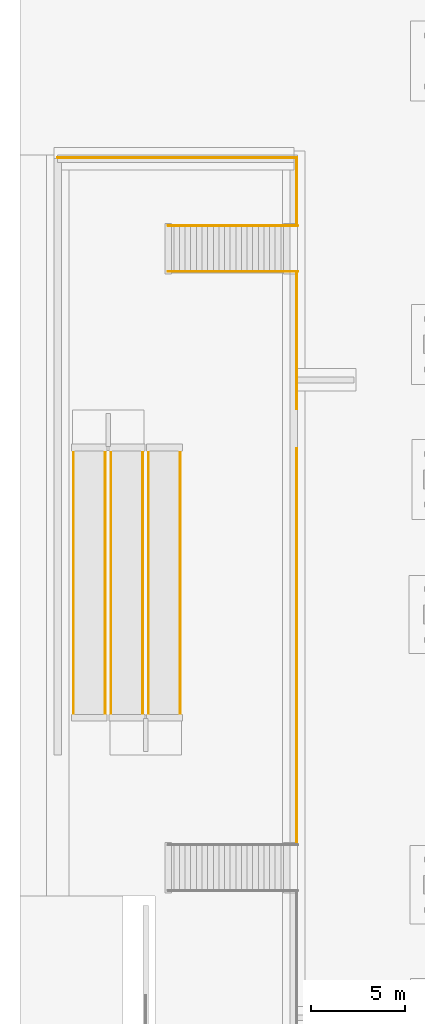
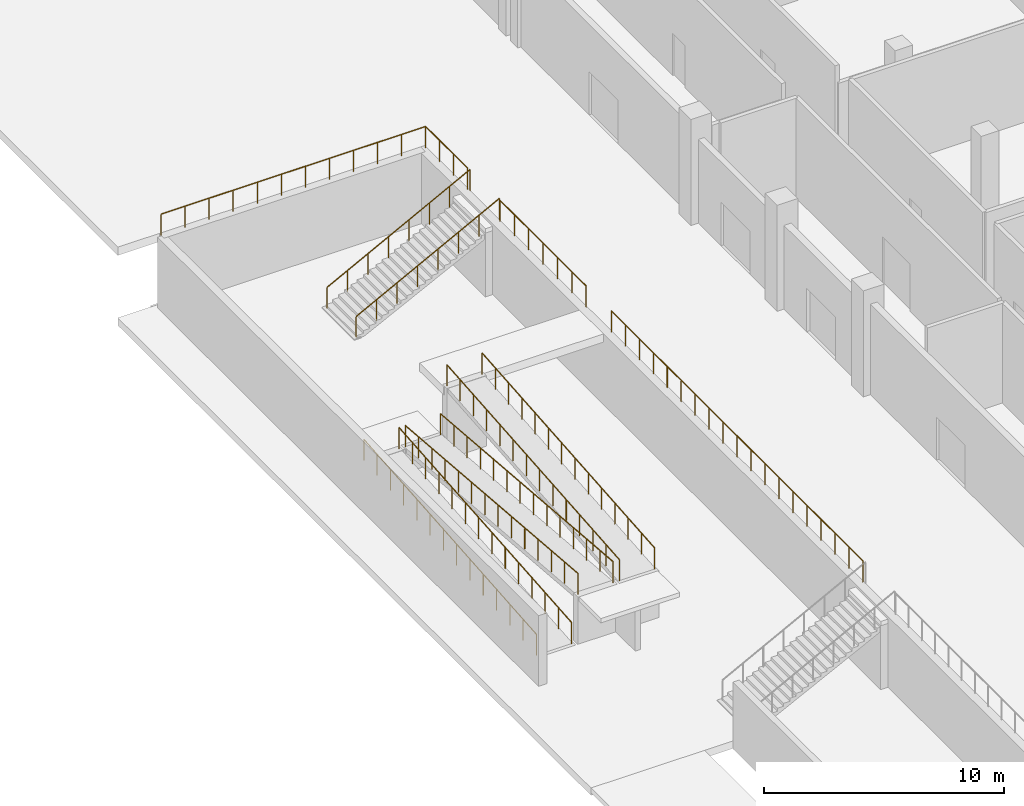
# One storey, part 67 of 89: 12 railings.
"""IFC4 building model written with IfcOpenShell, lengths in metres."""

import ifcopenshell
import ifcopenshell.guid

model = None  # the IFC model being written
_history = None  # IfcOwnerHistory: only IFC2X3 demands one
_inside = {}  # id of a spatial element -> (the spatial element, [elements in it])
_under = {}  # id of a project, library or spatial element -> (it, [spatial elements below it])
_declared = {}  # id of a project -> (the project, [libraries it declares])
_typed = {}  # id of a type object -> (the type object, [elements of that type])
_made_of = {}  # id of a material, layer set ... -> (it, [elements and type objects made of it])


def new_model(schema):
    """Start an empty IFC model of exactly this schema.

    Asked for "IFC4X3", IfcOpenShell would pick the latest addendum, in which some entities
    have other attributes; the version numbers below select the first issue.
    IFC2X3 requires an IfcOwnerHistory on every rooted entity: one is made here for all.
    """
    global model, _history
    if schema == "IFC4X3":
        model = ifcopenshell.file(schema_version=(4, 3, 0, 0))
    else:
        model = ifcopenshell.file(schema=schema)
    _inside.clear()
    _under.clear()
    _declared.clear()
    _typed.clear()
    _made_of.clear()
    _history = None
    if model.schema == "IFC2X3":
        org = make("IfcOrganization", Name="unknown")
        user = make(
            "IfcPersonAndOrganization",
            ThePerson=make("IfcPerson", FamilyName="unknown"),
            TheOrganization=org,
        )
        app = make(
            "IfcApplication",
            ApplicationDeveloper=org,
            Version="unknown",
            ApplicationFullName="unknown",
            ApplicationIdentifier="unknown",
        )
        _history = make(
            "IfcOwnerHistory",
            OwningUser=user,
            OwningApplication=app,
            ChangeAction="ADDED",
            CreationDate=0,
        )
    return model


def make(cls, **values):
    """One entity of the class cls with the attributes given. An attribute that is None is left unset."""
    return model.create_entity(
        cls, **{name: value for name, value in values.items() if value is not None}
    )


def rooted(cls, **values):
    """An entity with a GlobalId (a new one), such as an element, a storey or a relation."""
    return make(cls, GlobalId=ifcopenshell.guid.new(), OwnerHistory=_history, **values)


def si_unit(unit_type, name, prefix=None):
    """IfcSIUnit, for example si_unit("LENGTHUNIT", "METRE", prefix="MILLI")."""
    return make("IfcSIUnit", UnitType=unit_type, Prefix=prefix, Name=name)


def assignment(units):
    """IfcUnitAssignment: the units of a project."""
    return None if units is None else make("IfcUnitAssignment", Units=units)


def point(xyz):
    """IfcCartesianPoint."""
    return None if xyz is None else make("IfcCartesianPoint", Coordinates=xyz)


def direction(xyz):
    """IfcDirection."""
    return None if xyz is None else make("IfcDirection", DirectionRatios=xyz)


def frame(location, z_axis=None, x_axis=None):
    """IfcAxis2Placement3D, a coordinate frame: its origin and axes. An axis left out is left unset."""
    return make(
        "IfcAxis2Placement3D",
        Location=point(location),
        Axis=direction(z_axis),
        RefDirection=direction(x_axis),
    )


def frame_2d(location, x_axis=None):
    """IfcAxis2Placement2D, a coordinate frame in the plane: its origin and x axis."""
    return make(
        "IfcAxis2Placement2D", Location=point(location), RefDirection=direction(x_axis)
    )


def origin():
    """The frame at (0, 0, 0) with its axes left unset."""
    return frame((0.0, 0.0, 0.0))


def origin_2d():
    """The frame at (0, 0) in the plane with its x axis left unset."""
    return frame_2d((0.0, 0.0))


def place(relative_to, where):
    """IfcLocalPlacement: puts the frame where relative to a parent placement (None: the world)."""
    return make(
        "IfcLocalPlacement", PlacementRelTo=relative_to, RelativePlacement=where
    )


def context(
    kind, dimensions, precision=None, world=None, true_north=None, identifier=None
):
    """IfcGeometricRepresentationContext, for example the 3D "Model" context."""
    return make(
        "IfcGeometricRepresentationContext",
        ContextIdentifier=identifier,
        ContextType=kind,
        CoordinateSpaceDimension=dimensions,
        Precision=precision,
        WorldCoordinateSystem=world,
        TrueNorth=true_north,
    )


def subcontext(parent, identifier, kind, view, scale=None):
    """IfcGeometricRepresentationSubContext, for example "Body" below "Model"."""
    return make(
        "IfcGeometricRepresentationSubContext",
        ContextIdentifier=identifier,
        ContextType=kind,
        ParentContext=parent,
        TargetScale=scale,
        TargetView=view,
    )


def project(units=None, contexts=None):
    """IfcProject with its units and contexts."""
    return rooted(
        "IfcProject",
        Name="project",
        RepresentationContexts=contexts,
        UnitsInContext=assignment(units),
    )


def spatial(cls, under=None, at=None, **own):
    """A site, building, storey or space (cls), placed at a placement, below another one or the project."""
    s = rooted(cls, ObjectPlacement=at, **own)
    if under is not None:
        _under.setdefault(under.id(), (under, []))[1].append(s)
    return s


def profile(cls, at=None, kind="AREA", **sizes):
    """A parametric profile (cls). Its sizes go by their IFC names, for example OverallWidth=200.0."""
    return make(cls, ProfileType=kind, Position=at, **sizes)


def circle(**sizes):
    """IfcCircleProfileDef."""
    return profile("IfcCircleProfileDef", **sizes)


def extrude(swept, where, along, depth):
    """IfcExtrudedAreaSolid: the profile swept, set in the frame where, extruded along a direction by depth."""
    return make(
        "IfcExtrudedAreaSolid",
        SweptArea=swept,
        Position=where,
        ExtrudedDirection=direction(along),
        Depth=depth,
    )


def shape(context_of_items, identifier, shape_type, items):
    """IfcShapeRepresentation: the items that make up one representation, for example the "Body"."""
    return make(
        "IfcShapeRepresentation",
        ContextOfItems=context_of_items,
        RepresentationIdentifier=identifier,
        RepresentationType=shape_type,
        Items=items,
    )


def material(Name=None, Category=None):
    """IfcMaterial."""
    return make("IfcMaterial", Name=Name, Category=Category)


def made_of(thing, what):
    """Note that an element or type object is made of a material, layer set ...; save() writes the relation."""
    if what is not None:
        _made_of.setdefault(what.id(), (what, []))[1].append(thing)
    return thing


def type_object(cls, material=None, **own):
    """A type object (cls), such as IfcWallType, which elements share."""
    return made_of(rooted(cls, **own), material)


def element(
    cls,
    number,
    at=None,
    inside=None,
    cuts=None,
    type_object=None,
    material=None,
    context=None,
    identifier="Body",
    shape_type=None,
    held_by="IfcProductDefinitionShape",
    body=None,
    shapes=None,
    **own,
):
    """One element of the class cls, such as IfcWall. Its Tag is "e" and its number.

    at: its placement. inside: the storey or other place that contains it. cuts: it is an
    opening in that element (IfcRelVoidsElement). A single representation is given by context,
    identifier, shape_type and body (its items); several are given by shapes. held_by: the class
    of the entity that holds the representations. save() writes the other relations.
    """
    e = rooted(cls, Tag="e%d" % number, ObjectPlacement=at, **own)
    if body is not None:
        shapes = [shape(context, identifier, shape_type, body)]
    if shapes is not None:
        e.Representation = make(held_by, Representations=shapes)
    if inside is not None:
        _inside.setdefault(inside.id(), (inside, []))[1].append(e)
    if cuts is not None:
        rooted(
            "IfcRelVoidsElement", RelatingBuildingElement=cuts, RelatedOpeningElement=e
        )
    if type_object is not None:
        _typed.setdefault(type_object.id(), (type_object, []))[1].append(e)
    return made_of(e, material)


def aggregate(whole, parts):
    """IfcRelAggregates: a whole, such as a stair, and the parts it consists of."""
    return rooted("IfcRelAggregates", RelatingObject=whole, RelatedObjects=parts)


def save(model, path):
    """Write the relations noted so far, then the file.

    IfcRelAggregates (storeys below a building ...), IfcRelContainedInSpatialStructure (elements
    in a storey), IfcRelDefinesByType, IfcRelAssociatesMaterial and IfcRelDeclares: one each for
    every whole, place, type object, material and project.
    """
    for whole, parts in _under.values():
        aggregate(whole, parts)
    for where, things in _inside.values():
        rooted(
            "IfcRelContainedInSpatialStructure",
            RelatedElements=things,
            RelatingStructure=where,
        )
    for kind, things in _typed.values():
        rooted("IfcRelDefinesByType", RelatedObjects=things, RelatingType=kind)
    for what, things in _made_of.values():
        rooted("IfcRelAssociatesMaterial", RelatedObjects=things, RelatingMaterial=what)
    for by, libraries in _declared.values():
        rooted("IfcRelDeclares", RelatingContext=by, RelatedDefinitions=libraries)
    model.write(path)


model = new_model("IFC4")

# Units and contexts
model_context = context("Model", 3, precision=1e-05, world=origin(), true_north=direction((0.0, 1.0)))
body_context = subcontext(model_context, "Body", "Model", "MODEL_VIEW")
ifc_project = project(units=[si_unit("LENGTHUNIT", "METRE"), si_unit("AREAUNIT", "SQUARE_METRE"), si_unit("VOLUMEUNIT", "CUBIC_METRE"), si_unit("PLANEANGLEUNIT", "RADIAN"), si_unit("MASSUNIT", "GRAM", prefix="KILO")], contexts=[model_context])

# Site, building, storey
site_placement = place(None, origin())
site = spatial("IfcSite", under=ifc_project, at=site_placement, CompositionType="ELEMENT")
building_placement = place(site_placement, origin())
building = spatial("IfcBuilding", under=site, at=building_placement, Name="Koshinbarg Plaza Stadium", CompositionType="ELEMENT")
storey_placement = place(building_placement, origin())
storey = spatial("IfcBuildingStorey", under=building, at=storey_placement, Name="L00", CompositionType="ELEMENT", Elevation=0.0)

# Railings
ifc_material = material(Name="Galvanized painted steel guardrail", Category="steel")
railing_type = type_object("IfcRailingType", Name="RL-GUARD-1100", PredefinedType="GUARDRAIL", material=ifc_material)
railing_1_placement = place(storey_placement, frame((-15.14990234375, 92.0, -3.60009765625)))
element("IfcRailing", 1, at=railing_1_placement, inside=storey, type_object=railing_type, Name="RMP-FC-N1 west guardrail", PredefinedType="GUARDRAIL", context=body_context, shape_type="SweptSolid", body=[
    extrude(circle(Radius=0.02392578125, at=origin_2d()), frame((0.0, 0.0, 1.076171875), z_axis=(0.0, 0.996544592923, 0.083059462528), x_axis=(-1.0, 0.0, 0.0)), (0.0, 0.0, 1.0), 14.449951171875),
    extrude(circle(Radius=0.02099609375, at=origin_2d()), origin(), (0.0, 0.0, 1.0), 1.052001953125),
    extrude(circle(Radius=0.02099609375, at=origin_2d()), frame((0.0, 1.107666015625, 0.09228515625)), (0.0, 0.0, 1.0), 1.052001953125),
    extrude(circle(Radius=0.02099609375, at=origin_2d()), frame((0.0, 2.21533203125, 0.1845703125)), (0.0, 0.0, 1.0), 1.052001953125),
    extrude(circle(Radius=0.02099609375, at=origin_2d()), frame((0.0, 3.322998046875, 0.27685546875)), (0.0, 0.0, 1.0), 1.052001953125),
    extrude(circle(Radius=0.02099609375, at=origin_2d()), frame((0.0, 4.4306640625, 0.369384765625)), (0.0, 0.0, 1.0), 1.052001953125),
    extrude(circle(Radius=0.02099609375, at=origin_2d()), frame((0.0, 5.538330078125, 0.461669921875)), (0.0, 0.0, 1.0), 1.052001953125),
    extrude(circle(Radius=0.02099609375, at=origin_2d()), frame((0.0, 6.64599609375, 0.553955078125)), (0.0, 0.0, 1.0), 1.052001953125),
    extrude(circle(Radius=0.02099609375, at=origin_2d()), frame((0.0, 7.75390625, 0.646240234375)), (0.0, 0.0, 1.0), 1.052001953125),
    extrude(circle(Radius=0.02099609375, at=origin_2d()), frame((0.0, 8.861572265625, 0.738525390625)), (0.0, 0.0, 1.0), 1.052001953125),
    extrude(circle(Radius=0.02099609375, at=origin_2d()), frame((0.0, 9.96923828125, 0.830810546875)), (0.0, 0.0, 1.0), 1.052001953125),
    extrude(circle(Radius=0.02099609375, at=origin_2d()), frame((0.0, 11.076904296875, 0.92333984375)), (0.0, 0.0, 1.0), 1.052001953125),
    extrude(circle(Radius=0.02099609375, at=origin_2d()), frame((0.0, 12.1845703125, 1.015625)), (0.0, 0.0, 1.0), 1.052001953125),
    extrude(circle(Radius=0.02099609375, at=origin_2d()), frame((0.0, 13.292236328125, 1.10791015625)), (0.0, 0.0, 1.0), 1.052001953125),
    extrude(circle(Radius=0.02099609375, at=origin_2d()), frame((0.0, 14.39990234375, 1.2001953125)), (0.0, 0.0, 1.0), 1.052001953125),
])
railing_2_placement = place(storey_placement, frame((-13.449951171875, 92.0, -3.60009765625)))
element("IfcRailing", 2, at=railing_2_placement, inside=storey, type_object=railing_type, Name="RMP-FC-N1 east guardrail", PredefinedType="GUARDRAIL", context=body_context, shape_type="SweptSolid", body=[
    extrude(circle(Radius=0.02392578125, at=origin_2d()), frame((0.0, 0.0, 1.076171875), z_axis=(0.0, 0.996544592923, 0.083059462528), x_axis=(-1.0, 0.0, 0.0)), (0.0, 0.0, 1.0), 14.449951171875),
    extrude(circle(Radius=0.02099609375, at=origin_2d()), origin(), (0.0, 0.0, 1.0), 1.052001953125),
    extrude(circle(Radius=0.02099609375, at=origin_2d()), frame((0.0, 1.107666015625, 0.09228515625)), (0.0, 0.0, 1.0), 1.052001953125),
    extrude(circle(Radius=0.02099609375, at=origin_2d()), frame((0.0, 2.21533203125, 0.1845703125)), (0.0, 0.0, 1.0), 1.052001953125),
    extrude(circle(Radius=0.02099609375, at=origin_2d()), frame((0.0, 3.322998046875, 0.27685546875)), (0.0, 0.0, 1.0), 1.052001953125),
    extrude(circle(Radius=0.02099609375, at=origin_2d()), frame((0.0, 4.4306640625, 0.369384765625)), (0.0, 0.0, 1.0), 1.052001953125),
    extrude(circle(Radius=0.02099609375, at=origin_2d()), frame((0.0, 5.538330078125, 0.461669921875)), (0.0, 0.0, 1.0), 1.052001953125),
    extrude(circle(Radius=0.02099609375, at=origin_2d()), frame((0.0, 6.64599609375, 0.553955078125)), (0.0, 0.0, 1.0), 1.052001953125),
    extrude(circle(Radius=0.02099609375, at=origin_2d()), frame((0.0, 7.75390625, 0.646240234375)), (0.0, 0.0, 1.0), 1.052001953125),
    extrude(circle(Radius=0.02099609375, at=origin_2d()), frame((0.0, 8.861572265625, 0.738525390625)), (0.0, 0.0, 1.0), 1.052001953125),
    extrude(circle(Radius=0.02099609375, at=origin_2d()), frame((0.0, 9.96923828125, 0.830810546875)), (0.0, 0.0, 1.0), 1.052001953125),
    extrude(circle(Radius=0.02099609375, at=origin_2d()), frame((0.0, 11.076904296875, 0.92333984375)), (0.0, 0.0, 1.0), 1.052001953125),
    extrude(circle(Radius=0.02099609375, at=origin_2d()), frame((0.0, 12.1845703125, 1.015625)), (0.0, 0.0, 1.0), 1.052001953125),
    extrude(circle(Radius=0.02099609375, at=origin_2d()), frame((0.0, 13.292236328125, 1.10791015625)), (0.0, 0.0, 1.0), 1.052001953125),
    extrude(circle(Radius=0.02099609375, at=origin_2d()), frame((0.0, 14.39990234375, 1.2001953125)), (0.0, 0.0, 1.0), 1.052001953125),
])
railing_3_placement = place(storey_placement, frame((-13.14990234375, 106.39990234375, -2.39990234375)))
element("IfcRailing", 3, at=railing_3_placement, inside=storey, type_object=railing_type, Name="RMP-FC-N2 west guardrail", PredefinedType="GUARDRAIL", context=body_context, shape_type="SweptSolid", body=[
    extrude(circle(Radius=0.02392578125, at=origin_2d()), frame((0.0, 0.0, 1.076171875), z_axis=(0.0, -0.996545991286, 0.083042683313), x_axis=(1.0, 0.0, 0.0)), (0.0, 0.0, 1.0), 14.44970703125),
    extrude(circle(Radius=0.02099609375, at=origin_2d()), origin(), (0.0, 0.0, 1.0), 1.052001953125),
    extrude(circle(Radius=0.02099609375, at=origin_2d()), frame((0.0, -1.107666015625, 0.09228515625)), (0.0, 0.0, 1.0), 1.052001953125),
    extrude(circle(Radius=0.02099609375, at=origin_2d()), frame((0.0, -2.21533203125, 0.1845703125)), (0.0, 0.0, 1.0), 1.052001953125),
    extrude(circle(Radius=0.02099609375, at=origin_2d()), frame((0.0, -3.322998046875, 0.27685546875)), (0.0, 0.0, 1.0), 1.052001953125),
    extrude(circle(Radius=0.02099609375, at=origin_2d()), frame((0.0, -4.4306640625, 0.369140625)), (0.0, 0.0, 1.0), 1.052001953125),
    extrude(circle(Radius=0.02099609375, at=origin_2d()), frame((0.0, -5.538330078125, 0.46142578125)), (0.0, 0.0, 1.0), 1.052001953125),
    extrude(circle(Radius=0.02099609375, at=origin_2d()), frame((0.0, -6.64599609375, 0.5537109375)), (0.0, 0.0, 1.0), 1.052001953125),
    extrude(circle(Radius=0.02099609375, at=origin_2d()), frame((0.0, -7.75390625, 0.646240234375)), (0.0, 0.0, 1.0), 1.052001953125),
    extrude(circle(Radius=0.02099609375, at=origin_2d()), frame((0.0, -8.861572265625, 0.738525390625)), (0.0, 0.0, 1.0), 1.052001953125),
    extrude(circle(Radius=0.02099609375, at=origin_2d()), frame((0.0, -9.96923828125, 0.830810546875)), (0.0, 0.0, 1.0), 1.052001953125),
    extrude(circle(Radius=0.02099609375, at=origin_2d()), frame((0.0, -11.076904296875, 0.923095703125)), (0.0, 0.0, 1.0), 1.052001953125),
    extrude(circle(Radius=0.02099609375, at=origin_2d()), frame((0.0, -12.1845703125, 1.015380859375)), (0.0, 0.0, 1.0), 1.052001953125),
    extrude(circle(Radius=0.02099609375, at=origin_2d()), frame((0.0, -13.292236328125, 1.107666015625)), (0.0, 0.0, 1.0), 1.052001953125),
    extrude(circle(Radius=0.02099609375, at=origin_2d()), frame((0.0, -14.39990234375, 1.199951171875)), (0.0, 0.0, 1.0), 1.052001953125),
])
railing_4_placement = place(storey_placement, frame((-11.449951171875, 106.39990234375, -2.39990234375)))
element("IfcRailing", 4, at=railing_4_placement, inside=storey, type_object=railing_type, Name="RMP-FC-N2 east guardrail", PredefinedType="GUARDRAIL", context=body_context, shape_type="SweptSolid", body=[
    extrude(circle(Radius=0.02392578125, at=origin_2d()), frame((0.0, 0.0, 1.076171875), z_axis=(0.0, -0.996545991286, 0.083042683313), x_axis=(1.0, 0.0, 0.0)), (0.0, 0.0, 1.0), 14.44970703125),
    extrude(circle(Radius=0.02099609375, at=origin_2d()), origin(), (0.0, 0.0, 1.0), 1.052001953125),
    extrude(circle(Radius=0.02099609375, at=origin_2d()), frame((0.0, -1.107666015625, 0.09228515625)), (0.0, 0.0, 1.0), 1.052001953125),
    extrude(circle(Radius=0.02099609375, at=origin_2d()), frame((0.0, -2.21533203125, 0.1845703125)), (0.0, 0.0, 1.0), 1.052001953125),
    extrude(circle(Radius=0.02099609375, at=origin_2d()), frame((0.0, -3.322998046875, 0.27685546875)), (0.0, 0.0, 1.0), 1.052001953125),
    extrude(circle(Radius=0.02099609375, at=origin_2d()), frame((0.0, -4.4306640625, 0.369140625)), (0.0, 0.0, 1.0), 1.052001953125),
    extrude(circle(Radius=0.02099609375, at=origin_2d()), frame((0.0, -5.538330078125, 0.46142578125)), (0.0, 0.0, 1.0), 1.052001953125),
    extrude(circle(Radius=0.02099609375, at=origin_2d()), frame((0.0, -6.64599609375, 0.5537109375)), (0.0, 0.0, 1.0), 1.052001953125),
    extrude(circle(Radius=0.02099609375, at=origin_2d()), frame((0.0, -7.75390625, 0.646240234375)), (0.0, 0.0, 1.0), 1.052001953125),
    extrude(circle(Radius=0.02099609375, at=origin_2d()), frame((0.0, -8.861572265625, 0.738525390625)), (0.0, 0.0, 1.0), 1.052001953125),
    extrude(circle(Radius=0.02099609375, at=origin_2d()), frame((0.0, -9.96923828125, 0.830810546875)), (0.0, 0.0, 1.0), 1.052001953125),
    extrude(circle(Radius=0.02099609375, at=origin_2d()), frame((0.0, -11.076904296875, 0.923095703125)), (0.0, 0.0, 1.0), 1.052001953125),
    extrude(circle(Radius=0.02099609375, at=origin_2d()), frame((0.0, -12.1845703125, 1.015380859375)), (0.0, 0.0, 1.0), 1.052001953125),
    extrude(circle(Radius=0.02099609375, at=origin_2d()), frame((0.0, -13.292236328125, 1.107666015625)), (0.0, 0.0, 1.0), 1.052001953125),
    extrude(circle(Radius=0.02099609375, at=origin_2d()), frame((0.0, -14.39990234375, 1.199951171875)), (0.0, 0.0, 1.0), 1.052001953125),
])
railing_5_placement = place(storey_placement, frame((-11.14990234375, 92.0, -1.199951171875)))
element("IfcRailing", 5, at=railing_5_placement, inside=storey, type_object=railing_type, Name="RMP-FC-N3 west guardrail", PredefinedType="GUARDRAIL", context=body_context, shape_type="SweptSolid", body=[
    extrude(circle(Radius=0.02392578125, at=origin_2d()), frame((0.0, 0.0, 1.076171875), z_axis=(0.0, 0.996545991286, 0.083042683313), x_axis=(-1.0, 0.0, 0.0)), (0.0, 0.0, 1.0), 14.44970703125),
    extrude(circle(Radius=0.02099609375, at=origin_2d()), origin(), (0.0, 0.0, 1.0), 1.052001953125),
    extrude(circle(Radius=0.02099609375, at=origin_2d()), frame((0.0, 1.107666015625, 0.09228515625)), (0.0, 0.0, 1.0), 1.052001953125),
    extrude(circle(Radius=0.02099609375, at=origin_2d()), frame((0.0, 2.21533203125, 0.1845703125)), (0.0, 0.0, 1.0), 1.052001953125),
    extrude(circle(Radius=0.02099609375, at=origin_2d()), frame((0.0, 3.322998046875, 0.27685546875)), (0.0, 0.0, 1.0), 1.052001953125),
    extrude(circle(Radius=0.02099609375, at=origin_2d()), frame((0.0, 4.4306640625, 0.369140625)), (0.0, 0.0, 1.0), 1.052001953125),
    extrude(circle(Radius=0.02099609375, at=origin_2d()), frame((0.0, 5.538330078125, 0.46142578125)), (0.0, 0.0, 1.0), 1.052001953125),
    extrude(circle(Radius=0.02099609375, at=origin_2d()), frame((0.0, 6.64599609375, 0.5537109375)), (0.0, 0.0, 1.0), 1.052001953125),
    extrude(circle(Radius=0.02099609375, at=origin_2d()), frame((0.0, 7.75390625, 0.646240234375)), (0.0, 0.0, 1.0), 1.052001953125),
    extrude(circle(Radius=0.02099609375, at=origin_2d()), frame((0.0, 8.861572265625, 0.738525390625)), (0.0, 0.0, 1.0), 1.052001953125),
    extrude(circle(Radius=0.02099609375, at=origin_2d()), frame((0.0, 9.96923828125, 0.830810546875)), (0.0, 0.0, 1.0), 1.052001953125),
    extrude(circle(Radius=0.02099609375, at=origin_2d()), frame((0.0, 11.076904296875, 0.923095703125)), (0.0, 0.0, 1.0), 1.052001953125),
    extrude(circle(Radius=0.02099609375, at=origin_2d()), frame((0.0, 12.1845703125, 1.015380859375)), (0.0, 0.0, 1.0), 1.052001953125),
    extrude(circle(Radius=0.02099609375, at=origin_2d()), frame((0.0, 13.292236328125, 1.107666015625)), (0.0, 0.0, 1.0), 1.052001953125),
    extrude(circle(Radius=0.02099609375, at=origin_2d()), frame((0.0, 14.39990234375, 1.199951171875)), (0.0, 0.0, 1.0), 1.052001953125),
])
railing_6_placement = place(storey_placement, frame((-9.449951171875, 92.0, -1.199951171875)))
element("IfcRailing", 6, at=railing_6_placement, inside=storey, type_object=railing_type, Name="RMP-FC-N3 east guardrail", PredefinedType="GUARDRAIL", context=body_context, shape_type="SweptSolid", body=[
    extrude(circle(Radius=0.02392578125, at=origin_2d()), frame((0.0, 0.0, 1.076171875), z_axis=(0.0, 0.996545991286, 0.083042683313), x_axis=(-1.0, 0.0, 0.0)), (0.0, 0.0, 1.0), 14.44970703125),
    extrude(circle(Radius=0.02099609375, at=origin_2d()), origin(), (0.0, 0.0, 1.0), 1.052001953125),
    extrude(circle(Radius=0.02099609375, at=origin_2d()), frame((0.0, 1.107666015625, 0.09228515625)), (0.0, 0.0, 1.0), 1.052001953125),
    extrude(circle(Radius=0.02099609375, at=origin_2d()), frame((0.0, 2.21533203125, 0.1845703125)), (0.0, 0.0, 1.0), 1.052001953125),
    extrude(circle(Radius=0.02099609375, at=origin_2d()), frame((0.0, 3.322998046875, 0.27685546875)), (0.0, 0.0, 1.0), 1.052001953125),
    extrude(circle(Radius=0.02099609375, at=origin_2d()), frame((0.0, 4.4306640625, 0.369140625)), (0.0, 0.0, 1.0), 1.052001953125),
    extrude(circle(Radius=0.02099609375, at=origin_2d()), frame((0.0, 5.538330078125, 0.46142578125)), (0.0, 0.0, 1.0), 1.052001953125),
    extrude(circle(Radius=0.02099609375, at=origin_2d()), frame((0.0, 6.64599609375, 0.5537109375)), (0.0, 0.0, 1.0), 1.052001953125),
    extrude(circle(Radius=0.02099609375, at=origin_2d()), frame((0.0, 7.75390625, 0.646240234375)), (0.0, 0.0, 1.0), 1.052001953125),
    extrude(circle(Radius=0.02099609375, at=origin_2d()), frame((0.0, 8.861572265625, 0.738525390625)), (0.0, 0.0, 1.0), 1.052001953125),
    extrude(circle(Radius=0.02099609375, at=origin_2d()), frame((0.0, 9.96923828125, 0.830810546875)), (0.0, 0.0, 1.0), 1.052001953125),
    extrude(circle(Radius=0.02099609375, at=origin_2d()), frame((0.0, 11.076904296875, 0.923095703125)), (0.0, 0.0, 1.0), 1.052001953125),
    extrude(circle(Radius=0.02099609375, at=origin_2d()), frame((0.0, 12.1845703125, 1.015380859375)), (0.0, 0.0, 1.0), 1.052001953125),
    extrude(circle(Radius=0.02099609375, at=origin_2d()), frame((0.0, 13.292236328125, 1.107666015625)), (0.0, 0.0, 1.0), 1.052001953125),
    extrude(circle(Radius=0.02099609375, at=origin_2d()), frame((0.0, 14.39990234375, 1.199951171875)), (0.0, 0.0, 1.0), 1.052001953125),
])
for number, where, name in (
    (7, (-10.10009765625, 115.780029296875, -3.60009765625), "ST-FC-04 ceremonial stair guard S"),
    (8, (-10.10009765625, 118.219970703125, -3.60009765625), "ST-FC-04 ceremonial stair guard N"),
):
    element("IfcRailing", number, at=place(storey_placement, frame(where)), inside=storey, type_object=railing_type, Name=name, PredefinedType="GUARDRAIL", context=body_context, shape_type="SweptSolid", body=[
        extrude(circle(Radius=0.02392578125, at=origin_2d()), frame((0.0, 0.0, 1.076171875), z_axis=(0.886583727504, 0.0, 0.46256815079), x_axis=(0.0, 1.0, 0.0)), (0.0, 0.0, 1.0), 7.782958984375),
        extrude(circle(Radius=0.02099609375, at=origin_2d()), origin(), (0.0, 0.0, 1.0), 1.052001953125),
        extrude(circle(Radius=0.02099609375, at=origin_2d()), frame((0.98583984375, 0.0, 0.514404296875)), (0.0, 0.0, 1.0), 1.052001953125),
        extrude(circle(Radius=0.02099609375, at=origin_2d()), frame((1.971435546875, 0.0, 1.028564453125)), (0.0, 0.0, 1.0), 1.052001953125),
        extrude(circle(Radius=0.02099609375, at=origin_2d()), frame((2.957275390625, 0.0, 1.54296875)), (0.0, 0.0, 1.0), 1.052001953125),
        extrude(circle(Radius=0.02099609375, at=origin_2d()), frame((3.94287109375, 0.0, 2.05712890625)), (0.0, 0.0, 1.0), 1.052001953125),
        extrude(circle(Radius=0.02099609375, at=origin_2d()), frame((4.9287109375, 0.0, 2.571533203125)), (0.0, 0.0, 1.0), 1.052001953125),
        extrude(circle(Radius=0.02099609375, at=origin_2d()), frame((5.914306640625, 0.0, 3.085693359375)), (0.0, 0.0, 1.0), 1.052001953125),
        extrude(circle(Radius=0.02099609375, at=origin_2d()), frame((6.900146484375, 0.0, 3.60009765625)), (0.0, 0.0, 1.0), 1.052001953125),
    ])
railing_7_placement = place(storey_placement, frame((-3.25, 85.35009765625, 0.0)))
element("IfcRailing", 9, at=railing_7_placement, inside=storey, type_object=railing_type, Name="Sunken metro forecourt rim guard 6", PredefinedType="GUARDRAIL", context=body_context, shape_type="SweptSolid", body=[
    extrude(circle(Radius=0.02392578125, at=origin_2d()), frame((0.0, 0.0, 1.076171875), z_axis=(0.0, 1.0, 0.0), x_axis=(-1.0, 0.0, 0.0)), (0.0, 0.0, 1.0), 21.0),
    extrude(circle(Radius=0.02099609375, at=origin_2d()), origin(), (0.0, 0.0, 1.0), 1.052001953125),
    extrude(circle(Radius=0.02099609375, at=origin_2d()), frame((0.0, 1.166748046875, 0.0)), (0.0, 0.0, 1.0), 1.052001953125),
    extrude(circle(Radius=0.02099609375, at=origin_2d()), frame((0.0, 2.333251953125, 0.0)), (0.0, 0.0, 1.0), 1.052001953125),
    extrude(circle(Radius=0.02099609375, at=origin_2d()), frame((0.0, 3.5, 0.0)), (0.0, 0.0, 1.0), 1.052001953125),
    extrude(circle(Radius=0.02099609375, at=origin_2d()), frame((0.0, 4.666748046875, 0.0)), (0.0, 0.0, 1.0), 1.052001953125),
    extrude(circle(Radius=0.02099609375, at=origin_2d()), frame((0.0, 5.833251953125, 0.0)), (0.0, 0.0, 1.0), 1.052001953125),
    extrude(circle(Radius=0.02099609375, at=origin_2d()), frame((0.0, 7.0, 0.0)), (0.0, 0.0, 1.0), 1.052001953125),
    extrude(circle(Radius=0.02099609375, at=origin_2d()), frame((0.0, 8.166748046875, 0.0)), (0.0, 0.0, 1.0), 1.052001953125),
    extrude(circle(Radius=0.02099609375, at=origin_2d()), frame((0.0, 9.333251953125, 0.0)), (0.0, 0.0, 1.0), 1.052001953125),
    extrude(circle(Radius=0.02099609375, at=origin_2d()), frame((0.0, 10.5, 0.0)), (0.0, 0.0, 1.0), 1.052001953125),
    extrude(circle(Radius=0.02099609375, at=origin_2d()), frame((0.0, 11.666748046875, 0.0)), (0.0, 0.0, 1.0), 1.052001953125),
    extrude(circle(Radius=0.02099609375, at=origin_2d()), frame((0.0, 12.833251953125, 0.0)), (0.0, 0.0, 1.0), 1.052001953125),
    extrude(circle(Radius=0.02099609375, at=origin_2d()), frame((0.0, 14.0, 0.0)), (0.0, 0.0, 1.0), 1.052001953125),
    extrude(circle(Radius=0.02099609375, at=origin_2d()), frame((0.0, 15.166748046875, 0.0)), (0.0, 0.0, 1.0), 1.052001953125),
    extrude(circle(Radius=0.02099609375, at=origin_2d()), frame((0.0, 16.333251953125, 0.0)), (0.0, 0.0, 1.0), 1.052001953125),
    extrude(circle(Radius=0.02099609375, at=origin_2d()), frame((0.0, 17.5, 0.0)), (0.0, 0.0, 1.0), 1.052001953125),
    extrude(circle(Radius=0.02099609375, at=origin_2d()), frame((0.0, 18.666748046875, 0.0)), (0.0, 0.0, 1.0), 1.052001953125),
    extrude(circle(Radius=0.02099609375, at=origin_2d()), frame((0.0, 19.833251953125, 0.0)), (0.0, 0.0, 1.0), 1.052001953125),
    extrude(circle(Radius=0.02099609375, at=origin_2d()), frame((0.0, 21.0, 0.0)), (0.0, 0.0, 1.0), 1.052001953125),
])
railing_8_placement = place(storey_placement, frame((-3.25, 108.449951171875, 0.0)))
element("IfcRailing", 10, at=railing_8_placement, inside=storey, type_object=railing_type, Name="Sunken metro forecourt rim guard 7", PredefinedType="GUARDRAIL", context=body_context, shape_type="SweptSolid", body=[
    extrude(circle(Radius=0.02392578125, at=origin_2d()), frame((0.0, 0.0, 1.076171875), z_axis=(0.0, 1.0, 0.0), x_axis=(-1.0, 0.0, 0.0)), (0.0, 0.0, 1.0), 7.199951171875),
    extrude(circle(Radius=0.02099609375, at=origin_2d()), origin(), (0.0, 0.0, 1.0), 1.052001953125),
    extrude(circle(Radius=0.02099609375, at=origin_2d()), frame((0.0, 1.199951171875, 0.0)), (0.0, 0.0, 1.0), 1.052001953125),
    extrude(circle(Radius=0.02099609375, at=origin_2d()), frame((0.0, 2.39990234375, 0.0)), (0.0, 0.0, 1.0), 1.052001953125),
    extrude(circle(Radius=0.02099609375, at=origin_2d()), frame((0.0, 3.60009765625, 0.0)), (0.0, 0.0, 1.0), 1.052001953125),
    extrude(circle(Radius=0.02099609375, at=origin_2d()), frame((0.0, 4.800048828125, 0.0)), (0.0, 0.0, 1.0), 1.052001953125),
    extrude(circle(Radius=0.02099609375, at=origin_2d()), frame((0.0, 6.0, 0.0)), (0.0, 0.0, 1.0), 1.052001953125),
    extrude(circle(Radius=0.02099609375, at=origin_2d()), frame((0.0, 7.199951171875, 0.0)), (0.0, 0.0, 1.0), 1.052001953125),
])
railing_9_placement = place(storey_placement, frame((-3.25, 118.35009765625, 0.0)))
element("IfcRailing", 11, at=railing_9_placement, inside=storey, type_object=railing_type, Name="Sunken metro forecourt rim guard 8", PredefinedType="GUARDRAIL", context=body_context, shape_type="SweptSolid", body=[
    extrude(circle(Radius=0.02392578125, at=origin_2d()), frame((0.0, 0.0, 1.076171875), z_axis=(0.0, 1.0, 0.0), x_axis=(-1.0, 0.0, 0.0)), (0.0, 0.0, 1.0), 3.5),
    extrude(circle(Radius=0.02099609375, at=origin_2d()), origin(), (0.0, 0.0, 1.0), 1.052001953125),
    extrude(circle(Radius=0.02099609375, at=origin_2d()), frame((0.0, 1.166748046875, 0.0)), (0.0, 0.0, 1.0), 1.052001953125),
    extrude(circle(Radius=0.02099609375, at=origin_2d()), frame((0.0, 2.333251953125, 0.0)), (0.0, 0.0, 1.0), 1.052001953125),
    extrude(circle(Radius=0.02099609375, at=origin_2d()), frame((0.0, 3.5, 0.0)), (0.0, 0.0, 1.0), 1.052001953125),
])
railing_10_placement = place(storey_placement, frame((-3.25, 121.85009765625, 0.0)))
element("IfcRailing", 12, at=railing_10_placement, inside=storey, type_object=railing_type, Name="Sunken metro forecourt rim guard 9", PredefinedType="GUARDRAIL", context=body_context, shape_type="SweptSolid", body=[
    extrude(circle(Radius=0.02392578125, at=origin_2d()), frame((0.0, 0.0, 1.076171875), z_axis=(-1.0, 0.0, 0.0), x_axis=(0.0, -1.0, 0.0)), (0.0, 0.0, 1.0), 12.75),
    extrude(circle(Radius=0.02099609375, at=origin_2d()), origin(), (0.0, 0.0, 1.0), 1.052001953125),
    extrude(circle(Radius=0.02099609375, at=origin_2d()), frame((-1.1591796875, 0.0, 0.0)), (0.0, 0.0, 1.0), 1.052001953125),
    extrude(circle(Radius=0.02099609375, at=origin_2d()), frame((-2.318115234375, 0.0, 0.0)), (0.0, 0.0, 1.0), 1.052001953125),
    extrude(circle(Radius=0.02099609375, at=origin_2d()), frame((-3.477294921875, 0.0, 0.0)), (0.0, 0.0, 1.0), 1.052001953125),
    extrude(circle(Radius=0.02099609375, at=origin_2d()), frame((-4.636474609375, 0.0, 0.0)), (0.0, 0.0, 1.0), 1.052001953125),
    extrude(circle(Radius=0.02099609375, at=origin_2d()), frame((-5.79541015625, 0.0, 0.0)), (0.0, 0.0, 1.0), 1.052001953125),
    extrude(circle(Radius=0.02099609375, at=origin_2d()), frame((-6.95458984375, 0.0, 0.0)), (0.0, 0.0, 1.0), 1.052001953125),
    extrude(circle(Radius=0.02099609375, at=origin_2d()), frame((-8.113525390625, 0.0, 0.0)), (0.0, 0.0, 1.0), 1.052001953125),
    extrude(circle(Radius=0.02099609375, at=origin_2d()), frame((-9.272705078125, 0.0, 0.0)), (0.0, 0.0, 1.0), 1.052001953125),
    extrude(circle(Radius=0.02099609375, at=origin_2d()), frame((-10.431884765625, 0.0, 0.0)), (0.0, 0.0, 1.0), 1.052001953125),
    extrude(circle(Radius=0.02099609375, at=origin_2d()), frame((-11.5908203125, 0.0, 0.0)), (0.0, 0.0, 1.0), 1.052001953125),
    extrude(circle(Radius=0.02099609375, at=origin_2d()), frame((-12.75, 0.0, 0.0)), (0.0, 0.0, 1.0), 1.052001953125),
])

save(model, "model.ifc")
